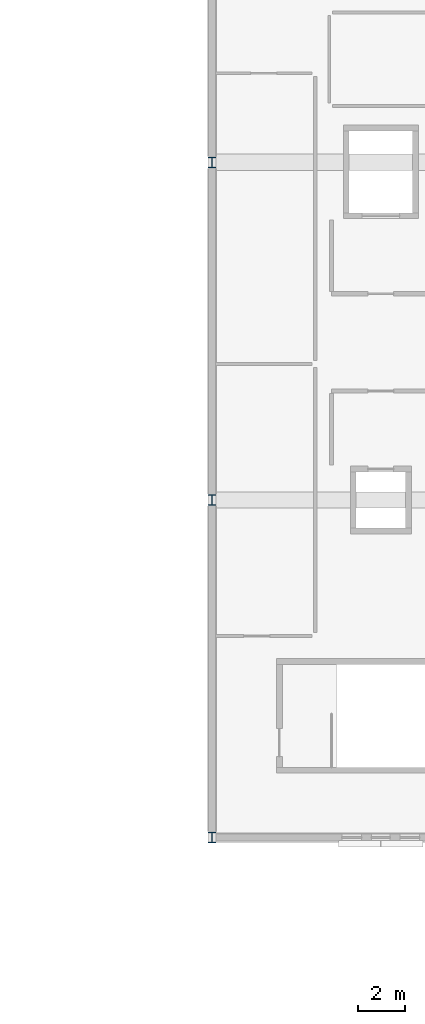
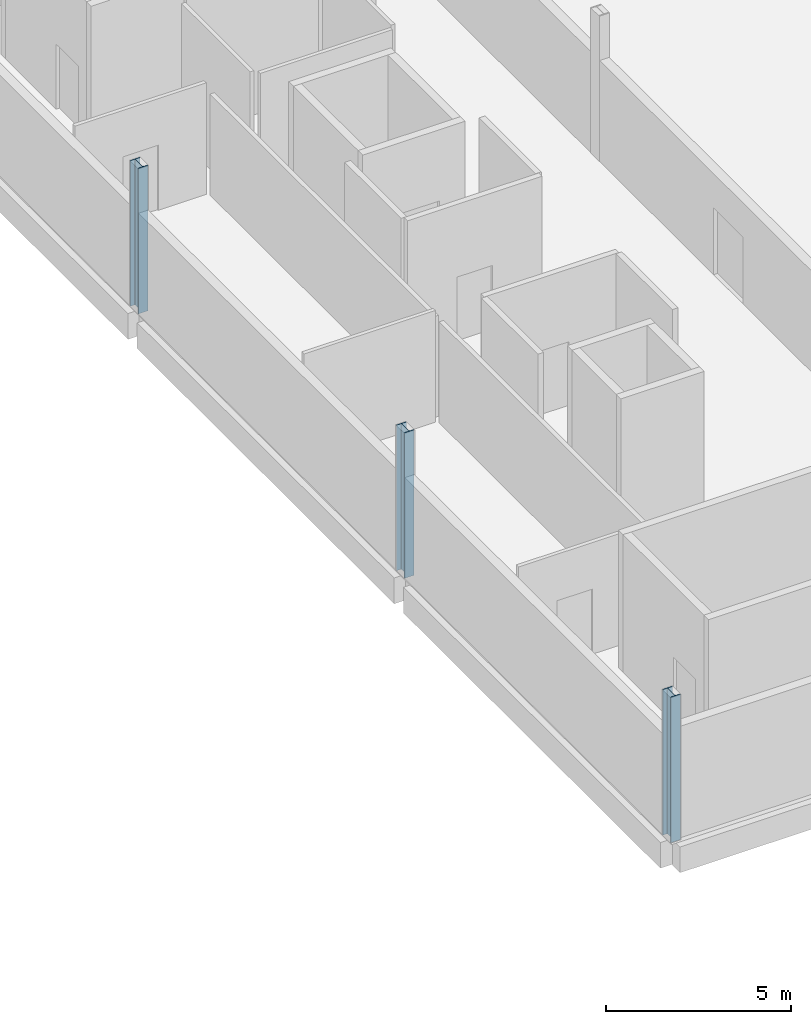
# One storey, part 2 of 116: 3 columns.
"""IFC4 building model written with IfcOpenShell, lengths in metres."""

from ifc_helpers import new_model, si_unit, direction, frame, origin, origin_2d, place, context, subcontext, project, spatial, i_section, extrude, material, material_profile, profile_set, type_object, element, save


model = new_model("IFC4")

# Units and contexts
model_context = context("Model", 3, precision=1e-05, world=origin(), true_north=direction((0.0, 1.0)))
body_context = subcontext(model_context, "Body", "Model", "MODEL_VIEW")
ifc_project = project(units=[si_unit("LENGTHUNIT", "METRE"), si_unit("AREAUNIT", "SQUARE_METRE"), si_unit("VOLUMEUNIT", "CUBIC_METRE"), si_unit("PLANEANGLEUNIT", "RADIAN"), si_unit("MASSUNIT", "GRAM", prefix="KILO")], contexts=[model_context])

# Site, building, storey
site_placement = place(None, origin())
site = spatial("IfcSite", under=ifc_project, at=site_placement, CompositionType="ELEMENT")
building_placement = place(site_placement, origin())
building = spatial("IfcBuilding", under=site, at=building_placement, Name="Cendralis Lancet Convention Centre", CompositionType="ELEMENT")
storey_placement = place(building_placement, frame((0.0, 0.0, 15.0)))
storey = spatial("IfcBuildingStorey", under=building, at=storey_placement, Name="L03", CompositionType="ELEMENT", Elevation=15.0)

# Columns
ifc_material = material(Name="Steel S355", Category="steel")
ifc_material_profile = material_profile(ifc_material, i_section(OverallWidth=0.300048828125, OverallDepth=0.449951171875, WebThickness=0.013916015625, FlangeThickness=0.02587890625, FilletRadius=0.027099609375, at=origin_2d()), Name="HEB 450")
ifc_profile_set = profile_set([ifc_material_profile], Name="Steel S355")
column_type = type_object("IfcColumnType", Name="STR-COL-C24", PredefinedType="COLUMN", material=ifc_profile_set)
for number, where, z_axis, x_axis, name in (
    (1, (124.800048828125, 93.60009765625, 0.0), (0.0, 0.0, 1.0), (1.0, 0.0, 0.0), "L03 Column C24 at 124.8,93.6"),
    (2, (124.800048828125, 108.0, 0.0), (0.0, 0.0, 1.0), (1.0, 0.0, 0.0), "L03 Column C24 at 124.8,108.0"),
    (3, (124.800048828125, 122.39990234375, 0.0), (0.0, 0.0, 1.0), (1.0, 0.0, 0.0), "L03 Column C24 at 124.8,122.4"),
):
    element("IfcColumn", number, at=place(storey_placement, frame(where, z_axis=z_axis, x_axis=x_axis)), inside=storey, type_object=column_type, Name=name, PredefinedType="COLUMN", context=body_context, shape_type="SweptSolid", body=[
        extrude(i_section(OverallWidth=0.300048828125, OverallDepth=0.449951171875, WebThickness=0.013916015625, FlangeThickness=0.02587890625, FilletRadius=0.027099609375, at=origin_2d()), origin(), (0.0, 0.0, 1.0), 4.800048828125),
    ])

save(model, "model.ifc")
